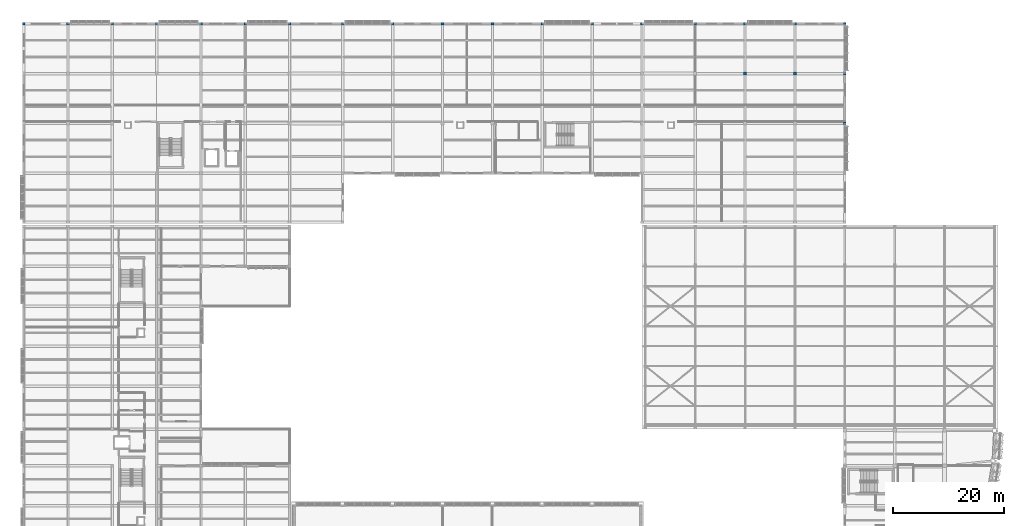
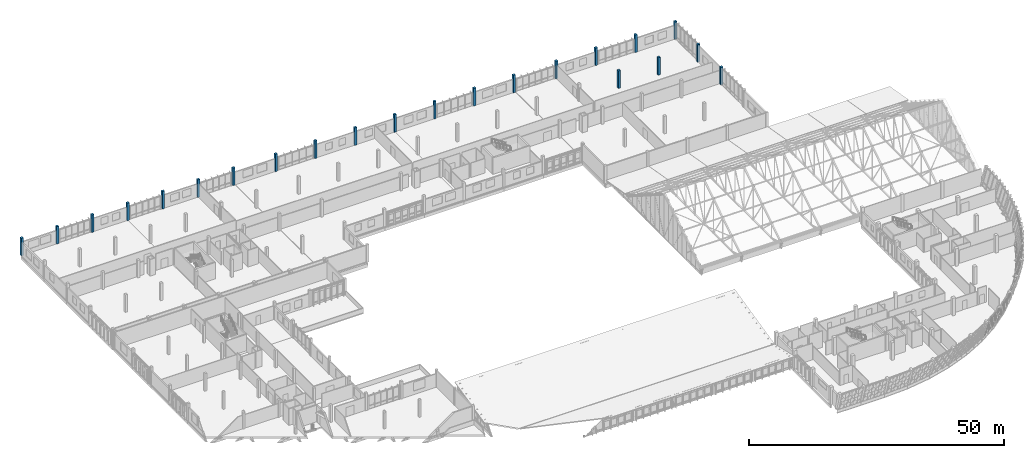
# One storey, part 9 of 182: 22 columns.
"""IFC4 building model written with IfcOpenShell, lengths in metres."""

from ifc_helpers import new_model, si_unit, direction, frame, origin, origin_2d, place, context, subcontext, project, spatial, rectangle, extrude, material, material_profile, profile_set, type_object, element, save


model = new_model("IFC4")

# Units and contexts
model_context = context("Model", 3, precision=1e-05, world=origin(), true_north=direction((0.0, 1.0)))
body_context = subcontext(model_context, "Body", "Model", "MODEL_VIEW")
ifc_project = project(units=[si_unit("LENGTHUNIT", "METRE"), si_unit("AREAUNIT", "SQUARE_METRE"), si_unit("VOLUMEUNIT", "CUBIC_METRE"), si_unit("PLANEANGLEUNIT", "RADIAN"), si_unit("MASSUNIT", "GRAM", prefix="KILO")], contexts=[model_context])

# Site, building, storey
site_placement = place(None, origin())
site = spatial("IfcSite", under=ifc_project, at=site_placement, CompositionType="ELEMENT")
building_placement = place(site_placement, origin())
building = spatial("IfcBuilding", under=site, at=building_placement, Name="Chiffa Square Polytechnic", CompositionType="ELEMENT")
storey_placement = place(building_placement, frame((0.0, 0.0, 9.60009765625)))
storey = spatial("IfcBuildingStorey", under=building, at=storey_placement, Name="L02", CompositionType="ELEMENT", Elevation=9.60009765625)

# Columns
ifc_material = material(Name="Concrete C35/45", Category="concrete")
ifc_material_profile = material_profile(ifc_material, rectangle(XDim=0.5, YDim=0.5, at=origin_2d()), Name="RC 500x500")
ifc_profile_set = profile_set([ifc_material_profile], Name="Concrete C35/45")
column_type = type_object("IfcColumnType", Name="COL-RC-500", PredefinedType="COLUMN", material=ifc_profile_set)
for number, where, z_axis, x_axis, name in (
    (1, (0.0, 130.800048828125, 0.0), (0.0, 0.0, 1.0), (1.0, 0.0, 0.0), "Column C-V5-L02-0000-1308"),
    (2, (8.0, 130.800048828125, 0.0), (0.0, 0.0, 1.0), (1.0, 0.0, 0.0), "Column C-V5-L02-0080-1308"),
    (3, (16.0, 130.800048828125, 0.0), (0.0, 0.0, 1.0), (1.0, 0.0, 0.0), "Column C-V5-L02-0160-1308"),
    (4, (24.0, 130.800048828125, 0.0), (0.0, 0.0, 1.0), (1.0, 0.0, 0.0), "Column C-V5-L02-0240-1308"),
    (5, (32.0, 130.800048828125, 0.0), (0.0, 0.0, 1.0), (1.0, 0.0, 0.0), "Column C-V5-L02-0320-1308"),
    (6, (40.0, 130.800048828125, 0.0), (0.0, 0.0, 1.0), (1.0, 0.0, 0.0), "Column C-V5-L02-0400-1308"),
    (7, (48.0, 130.800048828125, 0.0), (0.0, 0.0, 1.0), (1.0, 0.0, 0.0), "Column C-V5-L02-0480-1308"),
    (8, (57.60009765625, 130.800048828125, 0.0), (0.0, 0.0, 1.0), (1.0, 0.0, 0.0), "Column C-V5-L02-0576-1308"),
    (9, (66.60009765625, 130.800048828125, 0.0), (0.0, 0.0, 1.0), (1.0, 0.0, 0.0), "Column C-V5-L02-0666-1308"),
    (10, (75.60009765625, 130.800048828125, 0.0), (0.0, 0.0, 1.0), (1.0, 0.0, 0.0), "Column C-V5-L02-0756-1308"),
    (11, (84.60009765625, 130.800048828125, 0.0), (0.0, 0.0, 1.0), (1.0, 0.0, 0.0), "Column C-V5-L02-0846-1308"),
    (12, (93.60009765625, 130.800048828125, 0.0), (0.0, 0.0, 1.0), (1.0, 0.0, 0.0), "Column C-V5-L02-0936-1308"),
    (13, (102.60009765625, 130.800048828125, 0.0), (0.0, 0.0, 1.0), (1.0, 0.0, 0.0), "Column C-V5-L02-1026-1308"),
    (14, (111.60009765625, 130.800048828125, 0.0), (0.0, 0.0, 1.0), (1.0, 0.0, 0.0), "Column C-V5-L02-1116-1308"),
    (15, (121.199951171875, 130.800048828125, 0.0), (0.0, 0.0, 1.0), (1.0, 0.0, 0.0), "Column C-V5-L02-1212-1308"),
    (16, (130.199951171875, 121.800048828125, 0.0), (0.0, 0.0, 1.0), (1.0, 0.0, 0.0), "Column C-V5-L02-1302-1218"),
    (17, (130.199951171875, 130.800048828125, 0.0), (0.0, 0.0, 1.0), (1.0, 0.0, 0.0), "Column C-V5-L02-1302-1308"),
    (18, (139.199951171875, 121.800048828125, 0.0), (0.0, 0.0, 1.0), (1.0, 0.0, 0.0), "Column C-V5-L02-1392-1218"),
    (19, (139.199951171875, 130.800048828125, 0.0), (0.0, 0.0, 1.0), (1.0, 0.0, 0.0), "Column C-V5-L02-1392-1308"),
    (20, (148.199951171875, 112.800048828125, 0.0), (0.0, 0.0, 1.0), (1.0, 0.0, 0.0), "Column C-V5-L02-1482-1128"),
    (21, (148.199951171875, 121.800048828125, 0.0), (0.0, 0.0, 1.0), (1.0, 0.0, 0.0), "Column C-V5-L02-1482-1218"),
    (22, (148.199951171875, 130.800048828125, 0.0), (0.0, 0.0, 1.0), (1.0, 0.0, 0.0), "Column C-V5-L02-1482-1308"),
):
    element("IfcColumn", number, at=place(storey_placement, frame(where, z_axis=z_axis, x_axis=x_axis)), inside=storey, type_object=column_type, Name=name, PredefinedType="COLUMN", context=body_context, shape_type="SweptSolid", body=[
        extrude(rectangle(XDim=0.5, YDim=0.5, at=origin_2d()), origin(), (0.0, 0.0, 1.0), 4.199951171875),
    ])

save(model, "model.ifc")
